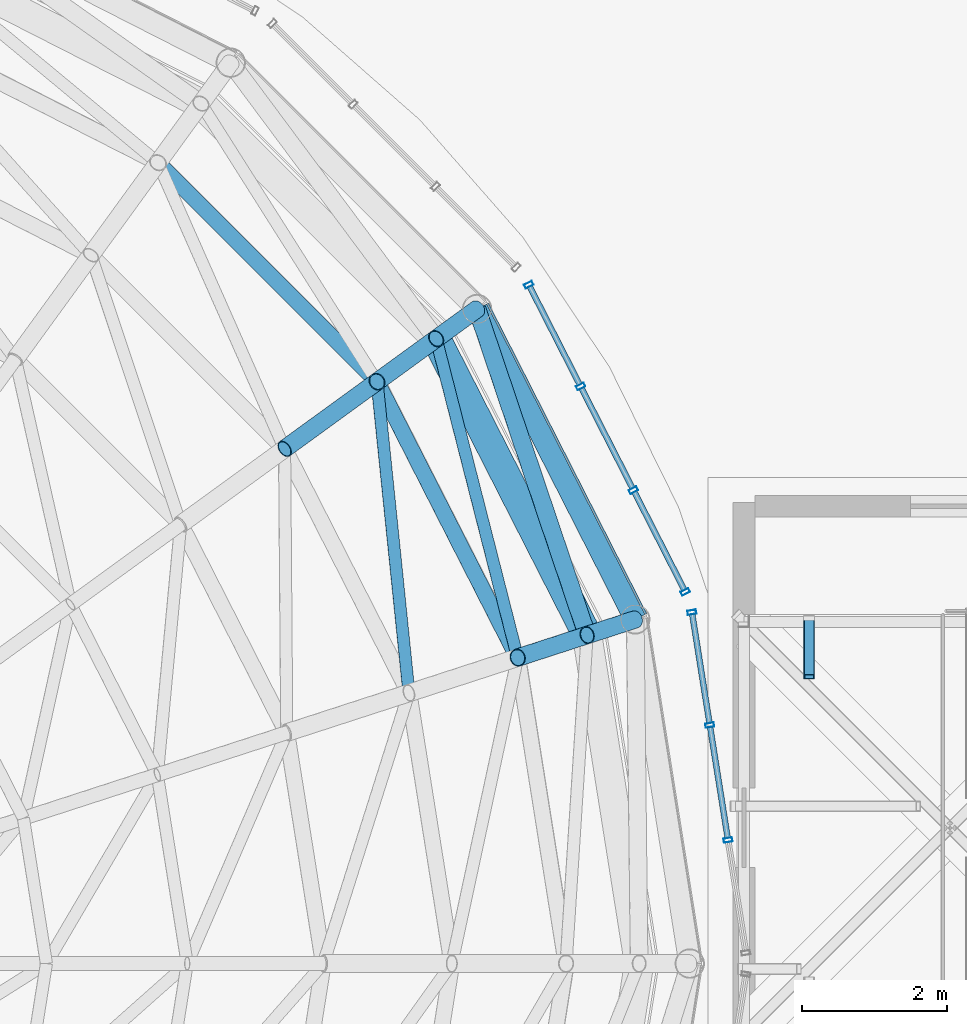
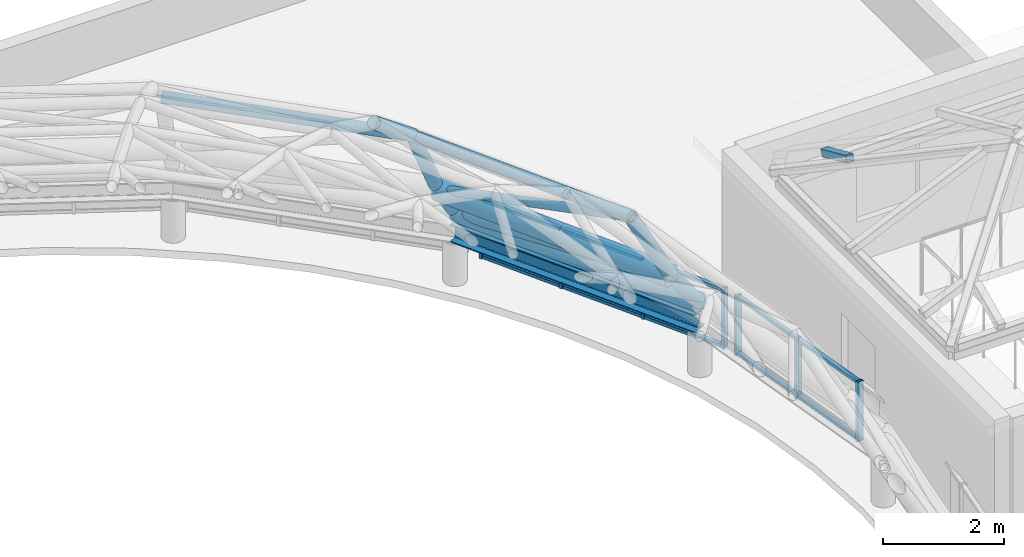
# One storey, part 33 of 69: 30 members, 1 beam, 2 elements without a shape of their own.
"""IFC4 building model written with IfcOpenShell, lengths in metres."""

import ifcopenshell
import ifcopenshell.guid

model = None  # the IFC model being written
_history = None  # IfcOwnerHistory: only IFC2X3 demands one
_inside = {}  # id of a spatial element -> (the spatial element, [elements in it])
_under = {}  # id of a project, library or spatial element -> (it, [spatial elements below it])
_declared = {}  # id of a project -> (the project, [libraries it declares])
_typed = {}  # id of a type object -> (the type object, [elements of that type])
_made_of = {}  # id of a material, layer set ... -> (it, [elements and type objects made of it])


def new_model(schema):
    """Start an empty IFC model of exactly this schema.

    Asked for "IFC4X3", IfcOpenShell would pick the latest addendum, in which some entities
    have other attributes; the version numbers below select the first issue.
    IFC2X3 requires an IfcOwnerHistory on every rooted entity: one is made here for all.
    """
    global model, _history
    if schema == "IFC4X3":
        model = ifcopenshell.file(schema_version=(4, 3, 0, 0))
    else:
        model = ifcopenshell.file(schema=schema)
    _inside.clear()
    _under.clear()
    _declared.clear()
    _typed.clear()
    _made_of.clear()
    _history = None
    if model.schema == "IFC2X3":
        org = make("IfcOrganization", Name="unknown")
        user = make(
            "IfcPersonAndOrganization",
            ThePerson=make("IfcPerson", FamilyName="unknown"),
            TheOrganization=org,
        )
        app = make(
            "IfcApplication",
            ApplicationDeveloper=org,
            Version="unknown",
            ApplicationFullName="unknown",
            ApplicationIdentifier="unknown",
        )
        _history = make(
            "IfcOwnerHistory",
            OwningUser=user,
            OwningApplication=app,
            ChangeAction="ADDED",
            CreationDate=0,
        )
    return model


def make(cls, **values):
    """One entity of the class cls with the attributes given. An attribute that is None is left unset."""
    return model.create_entity(
        cls, **{name: value for name, value in values.items() if value is not None}
    )


def rooted(cls, **values):
    """An entity with a GlobalId (a new one), such as an element, a storey or a relation."""
    return make(cls, GlobalId=ifcopenshell.guid.new(), OwnerHistory=_history, **values)


def si_unit(unit_type, name, prefix=None):
    """IfcSIUnit, for example si_unit("LENGTHUNIT", "METRE", prefix="MILLI")."""
    return make("IfcSIUnit", UnitType=unit_type, Prefix=prefix, Name=name)


def assignment(units):
    """IfcUnitAssignment: the units of a project."""
    return None if units is None else make("IfcUnitAssignment", Units=units)


def point(xyz):
    """IfcCartesianPoint."""
    return None if xyz is None else make("IfcCartesianPoint", Coordinates=xyz)


def direction(xyz):
    """IfcDirection."""
    return None if xyz is None else make("IfcDirection", DirectionRatios=xyz)


def frame(location, z_axis=None, x_axis=None):
    """IfcAxis2Placement3D, a coordinate frame: its origin and axes. An axis left out is left unset."""
    return make(
        "IfcAxis2Placement3D",
        Location=point(location),
        Axis=direction(z_axis),
        RefDirection=direction(x_axis),
    )


def frame_2d(location, x_axis=None):
    """IfcAxis2Placement2D, a coordinate frame in the plane: its origin and x axis."""
    return make(
        "IfcAxis2Placement2D", Location=point(location), RefDirection=direction(x_axis)
    )


def origin():
    """The frame at (0, 0, 0) with its axes left unset."""
    return frame((0.0, 0.0, 0.0))


def origin_2d():
    """The frame at (0, 0) in the plane with its x axis left unset."""
    return frame_2d((0.0, 0.0))


def place(relative_to, where):
    """IfcLocalPlacement: puts the frame where relative to a parent placement (None: the world)."""
    return make(
        "IfcLocalPlacement", PlacementRelTo=relative_to, RelativePlacement=where
    )


def context(
    kind, dimensions, precision=None, world=None, true_north=None, identifier=None
):
    """IfcGeometricRepresentationContext, for example the 3D "Model" context."""
    return make(
        "IfcGeometricRepresentationContext",
        ContextIdentifier=identifier,
        ContextType=kind,
        CoordinateSpaceDimension=dimensions,
        Precision=precision,
        WorldCoordinateSystem=world,
        TrueNorth=true_north,
    )


def subcontext(parent, identifier, kind, view, scale=None):
    """IfcGeometricRepresentationSubContext, for example "Body" below "Model"."""
    return make(
        "IfcGeometricRepresentationSubContext",
        ContextIdentifier=identifier,
        ContextType=kind,
        ParentContext=parent,
        TargetScale=scale,
        TargetView=view,
    )


def project(units=None, contexts=None):
    """IfcProject with its units and contexts."""
    return rooted(
        "IfcProject",
        Name="project",
        RepresentationContexts=contexts,
        UnitsInContext=assignment(units),
    )


def spatial(cls, under=None, at=None, **own):
    """A site, building, storey or space (cls), placed at a placement, below another one or the project."""
    s = rooted(cls, ObjectPlacement=at, **own)
    if under is not None:
        _under.setdefault(under.id(), (under, []))[1].append(s)
    return s


def profile(cls, at=None, kind="AREA", **sizes):
    """A parametric profile (cls). Its sizes go by their IFC names, for example OverallWidth=200.0."""
    return make(cls, ProfileType=kind, Position=at, **sizes)


def hollow_rectangle(**sizes):
    """IfcRectangleHollowProfileDef."""
    return profile("IfcRectangleHollowProfileDef", **sizes)


def hollow_circle(**sizes):
    """IfcCircleHollowProfileDef."""
    return profile("IfcCircleHollowProfileDef", **sizes)


def i_section(**sizes):
    """IfcIShapeProfileDef."""
    return profile("IfcIShapeProfileDef", **sizes)


def extrude(swept, where, along, depth):
    """IfcExtrudedAreaSolid: the profile swept, set in the frame where, extruded along a direction by depth."""
    return make(
        "IfcExtrudedAreaSolid",
        SweptArea=swept,
        Position=where,
        ExtrudedDirection=direction(along),
        Depth=depth,
    )


def shape(context_of_items, identifier, shape_type, items):
    """IfcShapeRepresentation: the items that make up one representation, for example the "Body"."""
    return make(
        "IfcShapeRepresentation",
        ContextOfItems=context_of_items,
        RepresentationIdentifier=identifier,
        RepresentationType=shape_type,
        Items=items,
    )


def material(Name=None, Category=None):
    """IfcMaterial."""
    return make("IfcMaterial", Name=Name, Category=Category)


def layer(
    of_material, thickness, ventilated=None, Name=None, Category=None, Priority=None
):
    """IfcMaterialLayer: one layer of a wall or slab, of a material (None: an air gap)."""
    return make(
        "IfcMaterialLayer",
        Material=of_material,
        LayerThickness=thickness,
        IsVentilated=ventilated,
        Name=Name,
        Category=Category,
        Priority=Priority,
    )


def layer_set(layers, Name=None):
    """IfcMaterialLayerSet."""
    return make("IfcMaterialLayerSet", MaterialLayers=layers, LayerSetName=Name)


def material_profile(
    of_material, cross_section, Name=None, Category=None, Priority=None
):
    """IfcMaterialProfile: a cross section and its material."""
    return make(
        "IfcMaterialProfile",
        Name=Name,
        Material=of_material,
        Profile=cross_section,
        Priority=Priority,
        Category=Category,
    )


def profile_set(profiles, Name=None, composite=None):
    """IfcMaterialProfileSet."""
    return make(
        "IfcMaterialProfileSet",
        Name=Name,
        MaterialProfiles=profiles,
        CompositeProfile=composite,
    )


def made_of(thing, what):
    """Note that an element or type object is made of a material, layer set ...; save() writes the relation."""
    if what is not None:
        _made_of.setdefault(what.id(), (what, []))[1].append(thing)
    return thing


def type_object(cls, material=None, **own):
    """A type object (cls), such as IfcWallType, which elements share."""
    return made_of(rooted(cls, **own), material)


def element(
    cls,
    number,
    at=None,
    inside=None,
    cuts=None,
    type_object=None,
    material=None,
    context=None,
    identifier="Body",
    shape_type=None,
    held_by="IfcProductDefinitionShape",
    body=None,
    shapes=None,
    **own,
):
    """One element of the class cls, such as IfcWall. Its Tag is "e" and its number.

    at: its placement. inside: the storey or other place that contains it. cuts: it is an
    opening in that element (IfcRelVoidsElement). A single representation is given by context,
    identifier, shape_type and body (its items); several are given by shapes. held_by: the class
    of the entity that holds the representations. save() writes the other relations.
    """
    e = rooted(cls, Tag="e%d" % number, ObjectPlacement=at, **own)
    if body is not None:
        shapes = [shape(context, identifier, shape_type, body)]
    if shapes is not None:
        e.Representation = make(held_by, Representations=shapes)
    if inside is not None:
        _inside.setdefault(inside.id(), (inside, []))[1].append(e)
    if cuts is not None:
        rooted(
            "IfcRelVoidsElement", RelatingBuildingElement=cuts, RelatedOpeningElement=e
        )
    if type_object is not None:
        _typed.setdefault(type_object.id(), (type_object, []))[1].append(e)
    return made_of(e, material)


def aggregate(whole, parts):
    """IfcRelAggregates: a whole, such as a stair, and the parts it consists of."""
    return rooted("IfcRelAggregates", RelatingObject=whole, RelatedObjects=parts)


def save(model, path):
    """Write the relations noted so far, then the file.

    IfcRelAggregates (storeys below a building ...), IfcRelContainedInSpatialStructure (elements
    in a storey), IfcRelDefinesByType, IfcRelAssociatesMaterial and IfcRelDeclares: one each for
    every whole, place, type object, material and project.
    """
    for whole, parts in _under.values():
        aggregate(whole, parts)
    for where, things in _inside.values():
        rooted(
            "IfcRelContainedInSpatialStructure",
            RelatedElements=things,
            RelatingStructure=where,
        )
    for kind, things in _typed.values():
        rooted("IfcRelDefinesByType", RelatedObjects=things, RelatingType=kind)
    for what, things in _made_of.values():
        rooted("IfcRelAssociatesMaterial", RelatedObjects=things, RelatingMaterial=what)
    for by, libraries in _declared.values():
        rooted("IfcRelDeclares", RelatingContext=by, RelatedDefinitions=libraries)
    model.write(path)


model = new_model("IFC4")

# Units and contexts
model_context = context("Model", 3, precision=1e-05, world=origin(), true_north=direction((0.0, 1.0)))
body_context = subcontext(model_context, "Body", "Model", "MODEL_VIEW")
ifc_project = project(units=[si_unit("LENGTHUNIT", "METRE"), si_unit("AREAUNIT", "SQUARE_METRE"), si_unit("VOLUMEUNIT", "CUBIC_METRE"), si_unit("PLANEANGLEUNIT", "RADIAN"), si_unit("MASSUNIT", "GRAM", prefix="KILO")], contexts=[model_context])

# Site, building, storey
site_placement = place(None, origin())
site = spatial("IfcSite", under=ifc_project, at=site_placement, CompositionType="ELEMENT")
building_placement = place(site_placement, origin())
building = spatial("IfcBuilding", under=site, at=building_placement, Name="Kallimachos Central Library", CompositionType="ELEMENT")
storey_placement = place(building_placement, frame((0.0, 0.0, 23.39990234375)))
storey = spatial("IfcBuildingStorey", under=building, at=storey_placement, Name="L05", CompositionType="ELEMENT", Elevation=23.39990234375)

# Members
ifc_material_1 = material(Name="Steel S355J2H", Category="steel")
ifc_material_profile_1 = material_profile(ifc_material_1, hollow_circle(Radius=0.084228515625, WallThickness=0.008056640625, at=origin_2d()), Name="CHS 168.3x8")
ifc_profile_set_1 = profile_set([ifc_material_profile_1], Name="Steel S355J2H")
member_type_1 = type_object("IfcMemberType", Name="CHS 168.3x8 dome diagonal", PredefinedType="BRACE", material=ifc_profile_set_1)
member_1_placement = place(storey_placement, frame((99.5166015625, 108.141845703125, 5.268310546875), z_axis=(-0.09799282184, 0.954536708212, -0.281526338988), x_axis=(-0.994771742946, -0.10212335402, 0.0)))
element("IfcMember", 1, at=member_1_placement, inside=storey, type_object=member_type_1, Name="Dome diagonal DD-5-01", PredefinedType="BRACE", context=body_context, shape_type="SweptSolid", body=[
    extrude(hollow_circle(Radius=0.084228515625, WallThickness=0.008056640625, at=origin_2d()), origin(), (0.0, 0.0, 1.0), 4.509521484375),
])
member_2_placement = place(storey_placement, frame((101.019287109375, 108.630126953125, 3.998779296875), z_axis=(-0.231523757213, 0.90627880261, -0.353631844982), x_axis=(-0.968883511069, -0.247517154917, 0.0)))
element("IfcMember", 2, at=member_2_placement, inside=storey, type_object=member_type_1, Name="Dome diagonal DD-6-01", PredefinedType="BRACE", context=body_context, shape_type="SweptSolid", body=[
    extrude(hollow_circle(Radius=0.084228515625, WallThickness=0.008056640625, at=origin_2d()), origin(), (0.0, 0.0, 1.0), 4.866455078125),
])
ifc_material_2 = material(Name="Steel S355J2H", Category="steel")
ifc_material_profile_2 = material_profile(ifc_material_2, hollow_circle(Radius=0.109619140625, WallThickness=0.012451171875, at=origin_2d()), Name="CHS 219.1x12.5")
ifc_profile_set_2 = profile_set([ifc_material_profile_2], Name="Steel S355J2H")
member_type_2 = type_object("IfcMemberType", Name="CHS 219.1x12.5 dome ring", PredefinedType="PURLIN", material=ifc_profile_set_2)
for number, where, z_axis, x_axis, name in (
    (3, (101.019287109375, 108.630126953125, 3.998779296875), (-0.454017999831, 0.890992511658, 0.0), (-0.890992511658, -0.454017999831, 0.0), "Dome ring DN-6-01"),
    (4, (99.07470703125, 112.4462890625, 3.998779296875), (-0.707078278585, 0.707135282639, 0.0), (-0.707135282639, -0.707078278585, 0.0), "Dome ring DN-6-02"),
):
    element("IfcMember", number, at=place(storey_placement, frame(where, z_axis=z_axis, x_axis=x_axis)), inside=storey, type_object=member_type_2, Name=name, PredefinedType="PURLIN", context=body_context, shape_type="SweptSolid", body=[
        extrude(hollow_circle(Radius=0.109619140625, WallThickness=0.012451171875, at=origin_2d()), origin(), (0.0, 0.0, 1.0), 4.282958984375),
    ])
ifc_material_3 = material(Name="Steel S355J2H", Category="steel")
ifc_material_profile_3 = material_profile(ifc_material_3, hollow_circle(Radius=0.122314453125, WallThickness=0.012451171875, at=origin_2d()), Name="CHS 244.5x12.5")
ifc_profile_set_3 = profile_set([ifc_material_profile_3], Name="Steel S355J2H")
member_type_3 = type_object("IfcMemberType", Name="CHS 244.5x12.5 dome diagonal", PredefinedType="BRACE", material=ifc_profile_set_3)
member_3_placement = place(storey_placement, frame((101.98046875, 108.942626953125, 2.27783203125), z_axis=(-0.314182389417, 0.931004128434, -0.185797575387), x_axis=(-0.947501993004, -0.319749860444, 0.0)))
element("IfcMember", 5, at=member_3_placement, inside=storey, type_object=member_type_3, Name="Dome diagonal DD-7-01", PredefinedType="BRACE", context=body_context, shape_type="SweptSolid", body=[
    extrude(hollow_circle(Radius=0.122314453125, WallThickness=0.012451171875, at=origin_2d()), origin(), (0.0, 0.0, 1.0), 4.843505859375),
])
ifc_material_4 = material(Name="Steel S355J2H", Category="steel")
ifc_material_profile_4 = material_profile(ifc_material_4, hollow_circle(Radius=0.122314453125, WallThickness=0.012451171875, at=origin_2d()), Name="CHS 244.5x12.5")
ifc_profile_set_4 = profile_set([ifc_material_profile_4], Name="Steel S355J2H")
member_type_4 = type_object("IfcMemberType", Name="CHS 244.5x12.5 dome rib", PredefinedType="RAFTER", material=ifc_profile_set_4)
member_4_placement = place(storey_placement, frame((97.796630859375, 111.517578125, 5.268310546875), z_axis=(0.630605546142, 0.458227984245, -0.626389463217), x_axis=(-0.587840865826, 0.808976585857, 0.0)))
element("IfcMember", 6, at=member_4_placement, inside=storey, type_object=member_type_4, Name="Dome rib DR-5-02", PredefinedType="RAFTER", context=body_context, shape_type="SweptSolid", body=[
    extrude(hollow_circle(Radius=0.122314453125, WallThickness=0.012451171875, at=origin_2d()), origin(), (0.0, 0.0, 1.0), 2.02685546875),
])
for number, where, z_axis, x_axis, name in (
    (7, (101.019287109375, 108.630126953125, 3.998779296875), (0.481604104485, 0.156579439609, -0.862287867035), (-0.309189847474, 0.951000335551, 0.0), "Dome rib DR-6-01"),
    (8, (99.07470703125, 112.4462890625, 3.998779296875), (0.409771732422, 0.297726685587, -0.862233116968), (-0.587798297127, 0.809007516588, 0.0), "Dome rib DR-6-02"),
):
    element("IfcMember", number, at=place(storey_placement, frame(where, z_axis=z_axis, x_axis=x_axis)), inside=storey, type_object=member_type_4, Name=name, PredefinedType="RAFTER", context=body_context, shape_type="SweptSolid", body=[
        extrude(hollow_circle(Radius=0.122314453125, WallThickness=0.012451171875, at=origin_2d()), origin(), (0.0, 0.0, 1.0), 1.995849609375),
    ])
member_5_placement = place(storey_placement, frame((101.98046875, 108.942626953125, 2.27783203125), z_axis=(0.583950472089, 0.189725015868, -0.78930745879), x_axis=(-0.308999325213, 0.951062257173, 0.0)))
element("IfcMember", 9, at=member_5_placement, inside=storey, type_object=member_type_4, Name="Dome rib DR-7-01", PredefinedType="RAFTER", context=body_context, shape_type="SweptSolid", body=[
    extrude(hollow_circle(Radius=0.122314453125, WallThickness=0.012451171875, at=origin_2d()), origin(), (0.0, 0.0, 1.0), 1.14013671875),
])
member_6_placement = place(storey_placement, frame((99.892578125, 113.04052734375, 2.27783203125), z_axis=(0.496634430506, 0.360857703925, -0.789389612266), x_axis=(-0.587819016355, 0.808992462271, 0.0)))
element("IfcMember", 10, at=member_6_placement, inside=storey, type_object=member_type_4, Name="Dome rib DR-7-02", PredefinedType="RAFTER", context=body_context, shape_type="SweptSolid", body=[
    extrude(hollow_circle(Radius=0.122314453125, WallThickness=0.012451171875, at=origin_2d()), origin(), (0.0, 0.0, 1.0), 1.139892578125),
])
ifc_material_5 = material(Name="Steel S355J2H", Category="steel")
ifc_material_profile_5 = material_profile(ifc_material_5, hollow_circle(Radius=0.177734375, WallThickness=0.008056640625, at=origin_2d()), Name="CHS 355.6x8")
ifc_profile_set_5 = profile_set([ifc_material_profile_5], Name="Steel S355J2H")
member_type_5 = type_object("IfcMemberType", Name="CHS 355.6x8 dome ring", PredefinedType="PURLIN", material=ifc_profile_set_5)
member_7_placement = place(storey_placement, frame((102.646240234375, 109.158935546875, 1.3779296875), z_axis=(-0.454010794093, 0.890996183408, 0.0), x_axis=(-0.890996183408, -0.454010794093, 0.0)))
element("IfcMember", 11, at=member_7_placement, inside=storey, type_object=member_type_5, Name="Dome ring DN-8-01", PredefinedType="PURLIN", context=body_context, shape_type="SweptSolid", body=[
    extrude(hollow_circle(Radius=0.177734375, WallThickness=0.008056640625, at=origin_2d()), origin(), (0.0, 0.0, 1.0), 4.818115234375),
])
ifc_material_6 = material(Name="Steel S355J2H", Category="steel")
ifc_material_profile_6 = material_profile(ifc_material_6, hollow_circle(Radius=0.203125, WallThickness=0.012451171875, at=origin_2d()), Name="CHS 406.4x12.5")
ifc_profile_set_6 = profile_set([ifc_material_profile_6], Name="Steel S355J2H")
member_type_6 = type_object("IfcMemberType", Name="CHS 406.4x12.5 dome ring", PredefinedType="PURLIN", material=ifc_profile_set_6)
member_8_placement = place(storey_placement, frame((101.98046875, 108.942626953125, 2.27783203125), z_axis=(-0.453974288531, 0.891014784026, 0.0), x_axis=(-0.891014784026, -0.453974288531, 0.0)))
element("IfcMember", 12, at=member_8_placement, inside=storey, type_object=member_type_6, Name="Dome ring DN-7-01", PredefinedType="PURLIN", context=body_context, shape_type="SweptSolid", body=[
    extrude(hollow_circle(Radius=0.203125, WallThickness=0.012451171875, at=origin_2d()), origin(), (0.0, 0.0, 1.0), 4.59912109375),
])

# Curtain wall, members
ifc_material_7 = material(Name="Anodised aluminium and laminated glass", Category="aluminium")
ifc_layer = layer(ifc_material_7, 0.159912109375)
ifc_layer_set = layer_set([ifc_layer], Name="Glass box curtain wall")
curtain_wall_type = type_object("IfcCurtainWallType", Name="Glass box curtain wall", PredefinedType="NOTDEFINED", material=ifc_layer_set)
curtain_wall_1_placement = place(storey_placement, origin())
curtain_wall_1 = element("IfcCurtainWall", 13, at=curtain_wall_1_placement, inside=storey, type_object=curtain_wall_type, Name="Drum clerestory facet 1", PredefinedType="NOTDEFINED")
ifc_material_8 = material(Name="Anodised aluminium", Category="aluminium")
ifc_material_profile_7 = material_profile(ifc_material_8, hollow_rectangle(XDim=0.06005859375, YDim=0.1201171875, WallThickness=0.00390625, at=origin_2d()), Name="ALU MULLION 60x120")
ifc_profile_set_7 = profile_set([ifc_material_profile_7], Name="Anodised aluminium")
member_type_7 = type_object("IfcMemberType", Name="Glass box mullion 60x120", PredefinedType="MULLION", material=ifc_profile_set_7)
member_9_placement = place(storey_placement, frame((103.928955078125, 106.108154296875, 0.0), z_axis=(0.0, 0.0, 1.0), x_axis=(-0.156435338924, 0.987688202185, 0.0)))
member_9 = element("IfcMember", 14, at=member_9_placement, type_object=member_type_7, Name="CW35 mullion 2", PredefinedType="MULLION", context=body_context, shape_type="SweptSolid", body=[
    extrude(hollow_rectangle(XDim=0.06005859375, YDim=0.1201171875, WallThickness=0.00390625, at=origin_2d()), origin(), (0.0, 0.0, 1.0), 1.2001953125),
])
member_10_placement = place(storey_placement, frame((103.677001953125, 107.69775390625, 0.0), z_axis=(0.0, 0.0, 1.0), x_axis=(-0.156435338924, 0.987688202185, 0.0)))
member_10 = element("IfcMember", 15, at=member_10_placement, type_object=member_type_7, Name="CW35 mullion 3", PredefinedType="MULLION", context=body_context, shape_type="SweptSolid", body=[
    extrude(hollow_rectangle(XDim=0.06005859375, YDim=0.1201171875, WallThickness=0.00390625, at=origin_2d()), origin(), (0.0, 0.0, 1.0), 1.2001953125),
])
member_11_placement = place(storey_placement, frame((103.429931640625, 109.2578125, 0.0), z_axis=(0.0, 0.0, 1.0), x_axis=(-0.156435338924, 0.987688202185, 0.0)))
member_11 = element("IfcMember", 16, at=member_11_placement, type_object=member_type_7, Name="CW35 mullion 4", PredefinedType="MULLION", context=body_context, shape_type="SweptSolid", body=[
    extrude(hollow_rectangle(XDim=0.06005859375, YDim=0.1201171875, WallThickness=0.00390625, at=origin_2d()), origin(), (0.0, 0.0, 1.0), 1.2001953125),
])

curtain_wall_2_placement = place(storey_placement, origin())
curtain_wall_2 = element("IfcCurtainWall", 17, at=curtain_wall_2_placement, inside=storey, type_object=curtain_wall_type, Name="Drum clerestory facet 2", PredefinedType="NOTDEFINED")
member_12_placement = place(storey_placement, frame((103.33837890625, 109.53955078125, 0.0), z_axis=(0.0, 0.0, 1.0), x_axis=(-0.453990803653, 0.891006369337, 0.0)))
member_12 = element("IfcMember", 18, at=member_12_placement, type_object=member_type_7, Name="CW36 mullion 1", PredefinedType="MULLION", context=body_context, shape_type="SweptSolid", body=[
    extrude(hollow_rectangle(XDim=0.06005859375, YDim=0.1201171875, WallThickness=0.00390625, at=origin_2d()), origin(), (0.0, 0.0, 1.0), 1.2001953125),
])
member_13_placement = place(storey_placement, frame((102.621337890625, 110.94677734375, 0.0), z_axis=(0.0, 0.0, 1.0), x_axis=(-0.453990803653, 0.891006369337, 0.0)))
member_13 = element("IfcMember", 19, at=member_13_placement, type_object=member_type_7, Name="CW36 mullion 2", PredefinedType="MULLION", context=body_context, shape_type="SweptSolid", body=[
    extrude(hollow_rectangle(XDim=0.06005859375, YDim=0.1201171875, WallThickness=0.00390625, at=origin_2d()), origin(), (0.0, 0.0, 1.0), 1.2001953125),
])
member_14_placement = place(storey_placement, frame((101.890869140625, 112.380859375, 0.0), z_axis=(0.0, 0.0, 1.0), x_axis=(-0.453990803653, 0.891006369337, 0.0)))
member_14 = element("IfcMember", 20, at=member_14_placement, type_object=member_type_7, Name="CW36 mullion 3", PredefinedType="MULLION", context=body_context, shape_type="SweptSolid", body=[
    extrude(hollow_rectangle(XDim=0.06005859375, YDim=0.1201171875, WallThickness=0.00390625, at=origin_2d()), origin(), (0.0, 0.0, 1.0), 1.2001953125),
])
member_15_placement = place(storey_placement, frame((101.173828125, 113.7880859375, 0.0), z_axis=(0.0, 0.0, 1.0), x_axis=(-0.453990803653, 0.891006369337, 0.0)))
member_15 = element("IfcMember", 21, at=member_15_placement, type_object=member_type_7, Name="CW36 mullion 4", PredefinedType="MULLION", context=body_context, shape_type="SweptSolid", body=[
    extrude(hollow_rectangle(XDim=0.06005859375, YDim=0.1201171875, WallThickness=0.00390625, at=origin_2d()), origin(), (0.0, 0.0, 1.0), 1.2001953125),
])

# Member
ifc_material_9 = material(Name="Anodised aluminium", Category="aluminium")
ifc_material_profile_8 = material_profile(ifc_material_9, hollow_rectangle(XDim=0.06005859375, YDim=0.080078125, WallThickness=0.00390625, at=origin_2d()), Name="ALU TRANSOM 60x80")
ifc_profile_set_8 = profile_set([ifc_material_profile_8], Name="Anodised aluminium")
member_type_8 = type_object("IfcMemberType", Name="Glass box transom 60x80", PredefinedType="USERDEFINED", material=ifc_profile_set_8)
member_16_placement = place(storey_placement, frame((103.92431640625, 106.1376953125, 0.030029296875), z_axis=(-0.156447981544, 0.987686199696, 0.0), x_axis=(0.0, 0.0, 1.0)))
member_16 = element("IfcMember", 22, at=member_16_placement, type_object=member_type_8, Name="CW35 transom 2.1", ObjectType="TRANSOM", PredefinedType="USERDEFINED", context=body_context, shape_type="SweptSolid", body=[
    extrude(hollow_rectangle(XDim=0.06005859375, YDim=0.080078125, WallThickness=0.00390625, at=origin_2d()), origin(), (0.0, 0.0, 1.0), 1.549560546875),
])

member_17_placement = place(storey_placement, frame((103.92431640625, 106.1376953125, 1.170166015625), z_axis=(-0.156447981544, 0.987686199696, 0.0), x_axis=(0.0, 0.0, 1.0)))
member_17 = element("IfcMember", 23, at=member_17_placement, type_object=member_type_8, Name="CW35 transom 2.2", ObjectType="TRANSOM", PredefinedType="USERDEFINED", context=body_context, shape_type="SweptSolid", body=[
    extrude(hollow_rectangle(XDim=0.06005859375, YDim=0.080078125, WallThickness=0.00390625, at=origin_2d()), origin(), (0.0, 0.0, 1.0), 1.549560546875),
])

member_18_placement = place(storey_placement, frame((103.67236328125, 107.727294921875, 0.030029296875), z_axis=(-0.156342115329, 0.987702962927, 0.0), x_axis=(0.0, 0.0, 1.0)))
member_18 = element("IfcMember", 24, at=member_18_placement, type_object=member_type_8, Name="CW35 transom 3.1", ObjectType="TRANSOM", PredefinedType="USERDEFINED", context=body_context, shape_type="SweptSolid", body=[
    extrude(hollow_rectangle(XDim=0.06005859375, YDim=0.080078125, WallThickness=0.00390625, at=origin_2d()), origin(), (0.0, 0.0, 1.0), 1.51953125),
])

member_19_placement = place(storey_placement, frame((103.67236328125, 107.727294921875, 1.170166015625), z_axis=(-0.156342115329, 0.987702962927, 0.0), x_axis=(0.0, 0.0, 1.0)))
member_19 = element("IfcMember", 25, at=member_19_placement, type_object=member_type_8, Name="CW35 transom 3.2", ObjectType="TRANSOM", PredefinedType="USERDEFINED", context=body_context, shape_type="SweptSolid", body=[
    extrude(hollow_rectangle(XDim=0.06005859375, YDim=0.080078125, WallThickness=0.00390625, at=origin_2d()), origin(), (0.0, 0.0, 1.0), 1.51953125),
])

aggregate(curtain_wall_1, [member_9, member_10, member_11, member_16, member_17, member_18, member_19])

member_20_placement = place(storey_placement, frame((103.324951171875, 109.56640625, 0.030029296875), z_axis=(-0.454077415739, 0.890962232935, 0.0), x_axis=(0.0, 0.0, 1.0)))
member_20 = element("IfcMember", 26, at=member_20_placement, type_object=member_type_8, Name="CW36 transom 1.1", ObjectType="TRANSOM", PredefinedType="USERDEFINED", context=body_context, shape_type="SweptSolid", body=[
    extrude(hollow_rectangle(XDim=0.06005859375, YDim=0.080078125, WallThickness=0.00390625, at=origin_2d()), origin(), (0.0, 0.0, 1.0), 1.51953125),
])

member_21_placement = place(storey_placement, frame((103.324951171875, 109.56640625, 1.170166015625), z_axis=(-0.454077415739, 0.890962232935, 0.0), x_axis=(0.0, 0.0, 1.0)))
member_21 = element("IfcMember", 27, at=member_21_placement, type_object=member_type_8, Name="CW36 transom 1.2", ObjectType="TRANSOM", PredefinedType="USERDEFINED", context=body_context, shape_type="SweptSolid", body=[
    extrude(hollow_rectangle(XDim=0.06005859375, YDim=0.080078125, WallThickness=0.00390625, at=origin_2d()), origin(), (0.0, 0.0, 1.0), 1.51953125),
])

member_22_placement = place(storey_placement, frame((102.60791015625, 110.9736328125, 0.030029296875), z_axis=(-0.454133494803, 0.89093365011, 0.0), x_axis=(0.0, 0.0, 1.0)))
member_22 = element("IfcMember", 28, at=member_22_placement, type_object=member_type_8, Name="CW36 transom 2.1", ObjectType="TRANSOM", PredefinedType="USERDEFINED", context=body_context, shape_type="SweptSolid", body=[
    extrude(hollow_rectangle(XDim=0.06005859375, YDim=0.080078125, WallThickness=0.00390625, at=origin_2d()), origin(), (0.0, 0.0, 1.0), 1.54931640625),
])

member_23_placement = place(storey_placement, frame((102.60791015625, 110.9736328125, 1.170166015625), z_axis=(-0.454133494803, 0.89093365011, 0.0), x_axis=(0.0, 0.0, 1.0)))
member_23 = element("IfcMember", 29, at=member_23_placement, type_object=member_type_8, Name="CW36 transom 2.2", ObjectType="TRANSOM", PredefinedType="USERDEFINED", context=body_context, shape_type="SweptSolid", body=[
    extrude(hollow_rectangle(XDim=0.06005859375, YDim=0.080078125, WallThickness=0.00390625, at=origin_2d()), origin(), (0.0, 0.0, 1.0), 1.54931640625),
])

member_24_placement = place(storey_placement, frame((101.877197265625, 112.407470703125, 0.030029296875), z_axis=(-0.454012418809, 0.890995355525, 0.0), x_axis=(0.0, 0.0, 1.0)))
member_24 = element("IfcMember", 30, at=member_24_placement, type_object=member_type_8, Name="CW36 transom 3.1", ObjectType="TRANSOM", PredefinedType="USERDEFINED", context=body_context, shape_type="SweptSolid", body=[
    extrude(hollow_rectangle(XDim=0.06005859375, YDim=0.080078125, WallThickness=0.00390625, at=origin_2d()), origin(), (0.0, 0.0, 1.0), 1.51953125),
])

member_25_placement = place(storey_placement, frame((101.877197265625, 112.407470703125, 1.170166015625), z_axis=(-0.454012418809, 0.890995355525, 0.0), x_axis=(0.0, 0.0, 1.0)))
member_25 = element("IfcMember", 31, at=member_25_placement, type_object=member_type_8, Name="CW36 transom 3.2", ObjectType="TRANSOM", PredefinedType="USERDEFINED", context=body_context, shape_type="SweptSolid", body=[
    extrude(hollow_rectangle(XDim=0.06005859375, YDim=0.080078125, WallThickness=0.00390625, at=origin_2d()), origin(), (0.0, 0.0, 1.0), 1.51953125),
])

aggregate(curtain_wall_2, [member_12, member_13, member_14, member_15, member_20, member_21, member_22, member_23, member_24, member_25])

# Beam
ifc_material_10 = material(Name="Steel S355J2", Category="steel")
ifc_material_profile_9 = material_profile(ifc_material_10, i_section(OverallWidth=0.300048828125, OverallDepth=0.360107421875, WebThickness=0.012451171875, FlangeThickness=0.0224609375, FilletRadius=0.027099609375, at=origin_2d()), Name="HEB 360")
ifc_profile_set_9 = profile_set([ifc_material_profile_9], Name="Steel S355J2")
beam_type = type_object("IfcBeamType", Name="HEB 360 beam", PredefinedType="BEAM", material=ifc_profile_set_9)
beam_placement = place(storey_placement, frame((102.646240234375, 109.158935546875, 1.02001953125), z_axis=(-0.453970566426, 0.891016680438, 0.0), x_axis=(-0.891016680438, -0.453970566426, 0.0)))
element("IfcBeam", 32, at=beam_placement, inside=storey, type_object=beam_type, Name="V1-BEM-L05-002", PredefinedType="BEAM", context=body_context, shape_type="SweptSolid", body=[
    extrude(i_section(OverallWidth=0.300048828125, OverallDepth=0.360107421875, WebThickness=0.012451171875, FlangeThickness=0.0224609375, FilletRadius=0.027099609375, at=origin_2d()), origin(), (0.0, 0.0, 1.0), 4.818115234375),
])

# Member
ifc_material_11 = material(Name="Steel S355J2H", Category="steel")
ifc_material_profile_10 = material_profile(ifc_material_11, hollow_rectangle(XDim=0.14990234375, YDim=0.14990234375, WallThickness=0.010009765625, InnerFilletRadius=0.010009765625, OuterFilletRadius=0.014892578125, at=origin_2d()), Name="SHS 150x150x10")
ifc_profile_set_10 = profile_set([ifc_material_profile_10], Name="Steel S355J2H")
member_type_9 = type_object("IfcMemberType", Name="SHS 150x150x10 rafter", PredefinedType="RAFTER", material=ifc_profile_set_10)
member_26_placement = place(storey_placement, frame((105.050048828125, 109.175048828125, 3.559814453125), z_axis=(0.0, -0.913470640573, 0.406904643389), x_axis=(1.0, 0.0, 0.0)))
element("IfcMember", 33, at=member_26_placement, inside=storey, type_object=member_type_9, Name="Head-house roof V1-NE rafter", PredefinedType="RAFTER", context=body_context, shape_type="SweptSolid", body=[
    extrude(hollow_rectangle(XDim=0.14990234375, YDim=0.14990234375, WallThickness=0.010009765625, InnerFilletRadius=0.010009765625, OuterFilletRadius=0.014892578125, at=origin_2d()), origin(), (0.0, 0.0, 1.0), 0.88671875),
])

save(model, "model.ifc")
